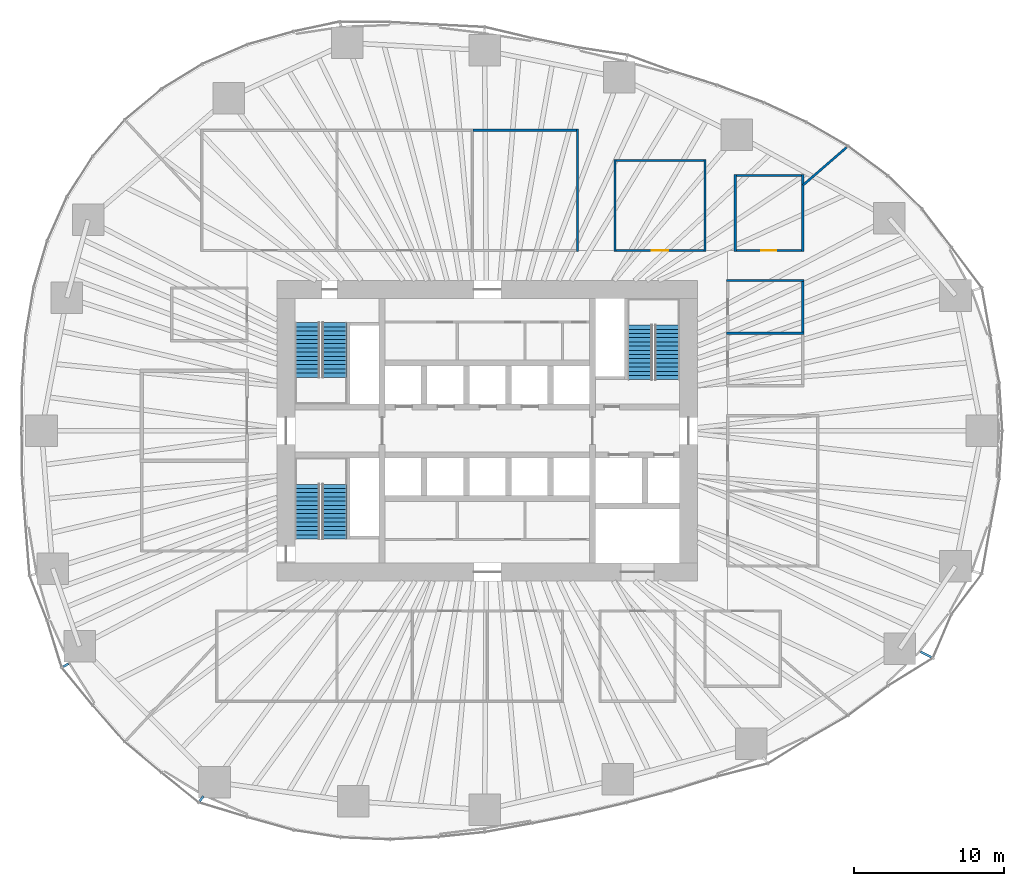
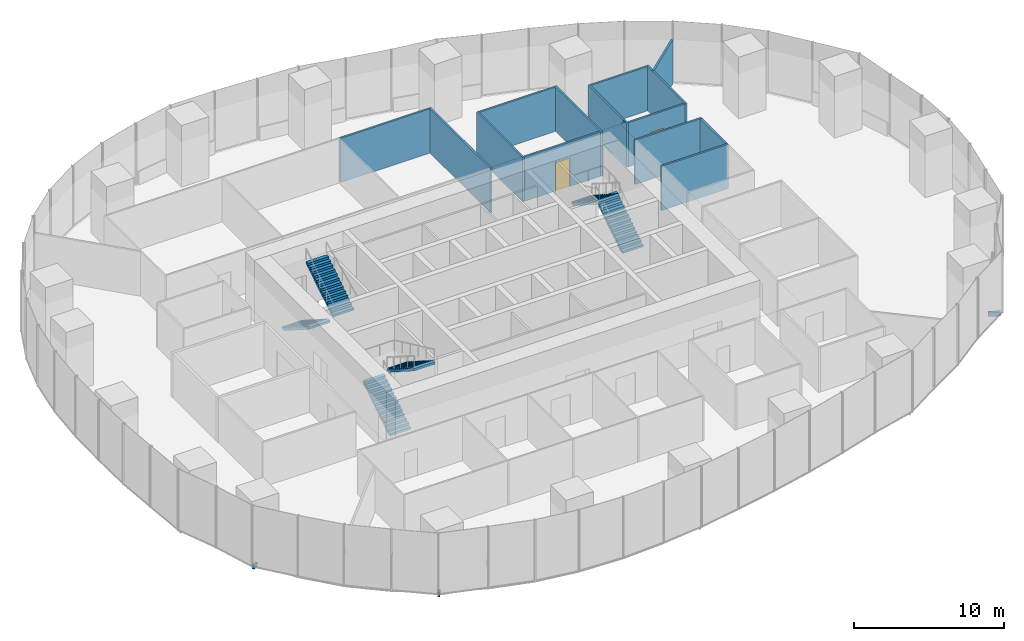
# One storey, part 12 of 20: 14 walls, 6 stair flights, 3 discrete accessories, 2 doors, 2 openings, 3 elements without a shape of their own.
"""IFC4 building model written with IfcOpenShell, lengths in metres."""

from ifc_helpers import new_model, si_unit, direction, frame, frame_2d, origin, origin_2d, place, context, subcontext, project, spatial, polyline, rectangle, outline, extrude, material, layer, layer_set, type_object, element, fill, aggregate, save


model = new_model("IFC4")

# Units and contexts
model_context = context("Model", 3, precision=1e-05, world=origin(), true_north=direction((0.0, 1.0)))
body_context = subcontext(model_context, "Body", "Model", "MODEL_VIEW")
ifc_project = project(units=[si_unit("LENGTHUNIT", "METRE"), si_unit("AREAUNIT", "SQUARE_METRE"), si_unit("VOLUMEUNIT", "CUBIC_METRE"), si_unit("PLANEANGLEUNIT", "RADIAN"), si_unit("MASSUNIT", "GRAM", prefix="KILO")], contexts=[model_context])

# Site, building, storey
site_placement = place(None, origin())
site = spatial("IfcSite", under=ifc_project, at=site_placement, CompositionType="ELEMENT")
building_placement = place(site_placement, origin())
building = spatial("IfcBuilding", under=site, at=building_placement, Name="Ghaith Harvest Tower", CompositionType="ELEMENT")
storey_placement = place(building_placement, frame((0.0, 0.0, 25.0)))
storey = spatial("IfcBuildingStorey", under=building, at=storey_placement, Name="L05", CompositionType="ELEMENT", Elevation=25.0)

# Walls
ifc_material_1 = material(Name="Gypsum board on steel studs", Category="steel")
ifc_layer = layer(ifc_material_1, 0.14990234375)
ifc_layer_set = layer_set([ifc_layer], Name="PARTITION 150")
wall_type = type_object("IfcWallType", Name="PARTITION 150", PredefinedType="PARTITIONING", material=ifc_layer_set)
wall_1_placement = place(storey_placement, frame((6.0, 11.925048828125, 0.0), z_axis=(0.0, 0.0, 1.0), x_axis=(0.0, 1.0, 0.0)))
element("IfcWall", 1, at=wall_1_placement, inside=storey, type_object=wall_type, Name="Partition L05 row N1 cross wall 4", PredefinedType="PARTITIONING", context=body_context, shape_type="SweptSolid", body=[
    extrude(rectangle(XDim=8.14990234375, YDim=0.14990234375, at=frame_2d((4.074951171875, 0.0))), origin(), (0.0, 0.0, 1.0), 3.60009765625),
])
wall_2_placement = place(storey_placement, frame((-0.93994140625, 20.0, 0.0), z_axis=(0.0, 0.0, 1.0), x_axis=(1.0, 0.0, 0.0)))
element("IfcWall", 2, at=wall_2_placement, inside=storey, type_object=wall_type, Name="Partition L05-03", PredefinedType="PARTITIONING", context=body_context, shape_type="SweptSolid", body=[
    extrude(rectangle(XDim=6.864990234375, YDim=0.14990234375, at=frame_2d((3.4326171875, 0.0))), origin(), (0.0, 0.0, 1.0), 3.60009765625),
])
for number, where, z_axis, x_axis, name in (
    (3, (8.5, 11.925048828125, 0.0), (0.0, 0.0, 1.0), (0.0, 1.0, 0.0), "Partition L05 row N2 cross wall 1"),
    (4, (14.5, 11.925048828125, 0.0), (0.0, 0.0, 1.0), (0.0, 1.0, 0.0), "Partition L05 row N2 cross wall 2"),
):
    element("IfcWall", number, at=place(storey_placement, frame(where, z_axis=z_axis, x_axis=x_axis)), inside=storey, type_object=wall_type, Name=name, PredefinedType="PARTITIONING", context=body_context, shape_type="SweptSolid", body=[
        extrude(rectangle(XDim=6.14990234375, YDim=0.14990234375, at=frame_2d((3.074951171875, 0.0))), origin(), (0.0, 0.0, 1.0), 3.60009765625),
    ])

# Wall, opening, door
wall_3_placement = place(storey_placement, frame((8.574951171875, 12.0, 0.0), z_axis=(0.0, 0.0, 1.0), x_axis=(1.0, 0.0, 0.0)))
wall_3 = element("IfcWall", 5, at=wall_3_placement, inside=storey, type_object=wall_type, Name="Partition L05-04", PredefinedType="PARTITIONING", context=body_context, shape_type="SweptSolid", body=[
    extrude(rectangle(XDim=5.85009765625, YDim=0.14990234375, at=frame_2d((2.925048828125, 0.0))), origin(), (0.0, 0.0, 1.0), 3.60009765625),
])
opening_1_placement = place(wall_3_placement, frame((2.375, 0.0, 0.0)))
opening_1 = element("IfcOpeningElement", 6, at=opening_1_placement, cuts=wall_3, Name="Opening 05-027", PredefinedType="OPENING", context=body_context, shape_type="SweptSolid", body=[
    extrude(rectangle(XDim=1.10009765625, YDim=2.300048828125, at=frame_2d((0.550048828125, 1.14990234375))), frame((0.0, 0.0849609375, 0.0), z_axis=(0.0, -1.0, 0.0), x_axis=(1.0, 0.0, 0.0)), (0.0, 0.0, 1.0), 0.169921875),
])
ifc_material_2 = material(Name="Timber-framed glazed door", Category="wood")
door_type_1 = type_object("IfcDoorType", Name="D12 GLAZED OFFICE 1100x2300", OperationType="SINGLE_SWING_LEFT", PredefinedType="DOOR", material=ifc_material_2)
door_1_placement = place(opening_1_placement, origin())
door_1 = element("IfcDoor", 7, at=door_1_placement, inside=storey, type_object=door_type_1, Name="Farm office door", OperationType="SINGLE_SWING_LEFT", OverallHeight=2.300048828125, OverallWidth=1.10009765625, PredefinedType="DOOR", context=body_context, shape_type="SweptSolid", body=[
    extrude(rectangle(XDim=1.10009765625, YDim=2.300048828125, at=frame_2d((0.550048828125, 1.14990234375))), frame((0.0, 0.02490234375, 0.0), z_axis=(0.0, -1.0, 0.0), x_axis=(1.0, 0.0, 0.0)), (0.0, 0.0, 1.0), 0.050048828125),
])
fill(opening_1, door_1)

# Walls
wall_4_placement = place(storey_placement, frame((8.574951171875, 18.0, 0.0), z_axis=(0.0, 0.0, 1.0), x_axis=(1.0, 0.0, 0.0)))
element("IfcWall", 8, at=wall_4_placement, inside=storey, type_object=wall_type, Name="Partition L05-04", PredefinedType="PARTITIONING", context=body_context, shape_type="SweptSolid", body=[
    extrude(rectangle(XDim=5.85009765625, YDim=0.14990234375, at=frame_2d((2.925048828125, 0.0))), origin(), (0.0, 0.0, 1.0), 3.60009765625),
])
for number, where, z_axis, x_axis, name in (
    (9, (16.5, 11.925048828125, 0.0), (0.0, 0.0, 1.0), (0.0, 1.0, 0.0), "Partition L05 row N7 cross wall 1"),
    (10, (21.0, 11.925048828125, 0.0), (0.0, 0.0, 1.0), (0.0, 1.0, 0.0), "Partition L05 row N7 cross wall 2"),
):
    element("IfcWall", number, at=place(storey_placement, frame(where, z_axis=z_axis, x_axis=x_axis)), inside=storey, type_object=wall_type, Name=name, PredefinedType="PARTITIONING", context=body_context, shape_type="SweptSolid", body=[
        extrude(rectangle(XDim=5.14990234375, YDim=0.14990234375, at=frame_2d((2.574951171875, 0.0))), origin(), (0.0, 0.0, 1.0), 3.60009765625),
    ])

# Wall, opening, door
wall_5_placement = place(storey_placement, frame((16.574951171875, 12.0, 0.0), z_axis=(0.0, 0.0, 1.0), x_axis=(1.0, 0.0, 0.0)))
wall_5 = element("IfcWall", 11, at=wall_5_placement, inside=storey, type_object=wall_type, Name="Partition L05-14", PredefinedType="PARTITIONING", context=body_context, shape_type="SweptSolid", body=[
    extrude(rectangle(XDim=4.35009765625, YDim=0.14990234375, at=frame_2d((2.175048828125, 0.0))), origin(), (0.0, 0.0, 1.0), 3.60009765625),
])
opening_2_placement = place(wall_5_placement, frame((1.675048828125, 0.0, 0.0)))
opening_2 = element("IfcOpeningElement", 12, at=opening_2_placement, cuts=wall_5, Name="Opening 05-037", PredefinedType="OPENING", context=body_context, shape_type="SweptSolid", body=[
    extrude(rectangle(XDim=1.0, YDim=2.199951171875, at=frame_2d((0.5, 1.10009765625))), frame((0.0, 0.0849609375, 0.0), z_axis=(0.0, -1.0, 0.0), x_axis=(1.0, 0.0, 0.0)), (0.0, 0.0, 1.0), 0.169921875),
])
ifc_material_3 = material(Name="Timber door", Category="wood")
door_type_2 = type_object("IfcDoorType", Name="D1 SINGLE 1000x2200", OperationType="SINGLE_SWING_LEFT", PredefinedType="DOOR", material=ifc_material_3)
door_2_placement = place(opening_2_placement, origin())
door_2 = element("IfcDoor", 13, at=door_2_placement, inside=storey, type_object=door_type_2, Name="Seedling inspection room door", OperationType="SINGLE_SWING_LEFT", OverallHeight=2.199951171875, OverallWidth=1.0, PredefinedType="DOOR", context=body_context, shape_type="SweptSolid", body=[
    extrude(rectangle(XDim=1.0, YDim=2.199951171875, at=frame_2d((0.5, 1.10009765625))), frame((0.0, 0.02490234375, 0.0), z_axis=(0.0, -1.0, 0.0), x_axis=(1.0, 0.0, 0.0)), (0.0, 0.0, 1.0), 0.050048828125),
])
fill(opening_2, door_2)

# Walls
wall_6_placement = place(storey_placement, frame((16.574951171875, 17.0, 0.0), z_axis=(0.0, 0.0, 1.0), x_axis=(1.0, 0.0, 0.0)))
element("IfcWall", 14, at=wall_6_placement, inside=storey, type_object=wall_type, Name="Partition L05-14", PredefinedType="PARTITIONING", context=body_context, shape_type="SweptSolid", body=[
    extrude(rectangle(XDim=4.35009765625, YDim=0.14990234375, at=frame_2d((2.175048828125, 0.0))), origin(), (0.0, 0.0, 1.0), 3.60009765625),
])
for number, where, z_axis, x_axis, name in (
    (15, (15.925048828125, 6.5, 0.0), (0.0, 0.0, 1.0), (1.0, 0.0, 0.0), "Partition L05 row E9 cross wall 2"),
    (16, (15.925048828125, 10.0, 0.0), (0.0, 0.0, 1.0), (1.0, 0.0, 0.0), "Partition L05 row E9 cross wall 3"),
):
    element("IfcWall", number, at=place(storey_placement, frame(where, z_axis=z_axis, x_axis=x_axis)), inside=storey, type_object=wall_type, Name=name, PredefinedType="PARTITIONING", context=body_context, shape_type="SweptSolid", body=[
        extrude(rectangle(XDim=5.14990234375, YDim=0.14990234375, at=frame_2d((2.574951171875, 0.0))), origin(), (0.0, 0.0, 1.0), 3.60009765625),
    ])
wall_7_placement = place(storey_placement, frame((21.0, 6.574951171875, 0.0), z_axis=(0.0, 0.0, 1.0), x_axis=(0.0, 1.0, 0.0)))
element("IfcWall", 17, at=wall_7_placement, inside=storey, type_object=wall_type, Name="Partition L05-17", PredefinedType="PARTITIONING", context=body_context, shape_type="SweptSolid", body=[
    extrude(rectangle(XDim=3.35009765625, YDim=0.14990234375, at=frame_2d((1.675048828125, 0.0))), origin(), (0.0, 0.0, 1.0), 3.60009765625),
])
wall_8_placement = place(storey_placement, frame((21.02001953125, 16.35400390625, 0.0), z_axis=(0.0, 0.0, 1.0), x_axis=(0.755425653008, 0.655234372402, 0.0)))
element("IfcWall", 18, at=wall_8_placement, inside=storey, type_object=wall_type, Name="Partition L05 zone division", PredefinedType="PARTITIONING", context=body_context, shape_type="SweptSolid", body=[
    extrude(rectangle(XDim=3.8232421875, YDim=0.14990234375, at=frame_2d((1.91162109375, 0.0))), origin(), (0.0, 0.0, 1.0), 3.60009765625),
])

# Stair, stair flights
ifc_material_4 = material(Name="Concrete C40/50, precast", Category="concrete")
stair_type = type_object("IfcStairType", Name="CORE STAIR 28R", PredefinedType="HALF_TURN_STAIR", material=ifc_material_4)
stair_1_placement = place(storey_placement, origin())
stair_1 = element("IfcStair", 19, at=stair_1_placement, inside=storey, type_object=stair_type, Name="Stair ST1 L05", PredefinedType="HALF_TURN_STAIR")
ifc_material_5 = material(Name="Concrete C40/50, precast", Category="concrete")
stair_flight_type = type_object("IfcStairFlightType", Name="CORE FLIGHT 14R 1600", PredefinedType="STRAIGHT", material=ifc_material_5)
stair_flight_1_placement = place(storey_placement, frame((-12.0, 7.199951171875, 0.0), z_axis=(0.0, 0.0, 1.0), x_axis=(0.0, -1.0, 0.0)))
stair_flight_1 = element("IfcStairFlight", 20, at=stair_flight_1_placement, type_object=stair_flight_type, Name="ST1 flight 1", NumberOfRisers=14, NumberOfTreads=13, PredefinedType="STRAIGHT", RiserHeight=0.178571429, TreadLength=0.28, context=body_context, shape_type="SweptSolid", body=[
    extrude(outline(polyline([(0.0, 0.0), (0.0, 0.178466796875), (0.280029296875, 0.178466796875), (0.280029296875, 0.357177734375), (0.56005859375, 0.357177734375), (0.56005859375, 0.53564453125), (0.840087890625, 0.53564453125), (0.840087890625, 0.71435546875), (1.1201171875, 0.71435546875), (1.1201171875, 0.892822265625), (1.39990234375, 0.892822265625), (1.39990234375, 1.071533203125), (1.679931640625, 1.071533203125), (1.679931640625, 1.25), (1.9599609375, 1.25), (1.9599609375, 1.428466796875), (2.239990234375, 1.428466796875), (2.239990234375, 1.607177734375), (2.52001953125, 1.607177734375), (2.52001953125, 1.78564453125), (2.800048828125, 1.78564453125), (2.800048828125, 1.96435546875), (3.080078125, 1.96435546875), (3.080078125, 2.142822265625), (3.360107421875, 2.142822265625), (3.360107421875, 2.321533203125), (3.639892578125, 2.321533203125), (3.639892578125, 2.5), (3.639892578125, 2.1435546875), (0.27880859375, 0.0), (0.0, 0.0)])), frame((0.0, 0.800048828125, 0.0), z_axis=(0.0, -1.0, 0.0), x_axis=(1.0, 0.0, 0.0)), (0.0, 0.0, 1.0), 1.60009765625),
])
stair_flight_2_placement = place(storey_placement, frame((-10.14990234375, 3.56005859375, 2.5), z_axis=(0.0, 0.0, 1.0), x_axis=(0.0, 1.0, 0.0)))
stair_flight_2 = element("IfcStairFlight", 21, at=stair_flight_2_placement, type_object=stair_flight_type, Name="ST1 flight 2", NumberOfRisers=14, NumberOfTreads=13, PredefinedType="STRAIGHT", RiserHeight=0.178571429, TreadLength=0.28, context=body_context, shape_type="SweptSolid", body=[
    extrude(outline(polyline([(0.0, 0.0), (0.0, 0.178466796875), (0.280029296875, 0.178466796875), (0.280029296875, 0.357177734375), (0.56005859375, 0.357177734375), (0.56005859375, 0.53564453125), (0.840087890625, 0.53564453125), (0.840087890625, 0.71435546875), (1.1201171875, 0.71435546875), (1.1201171875, 0.892822265625), (1.39990234375, 0.892822265625), (1.39990234375, 1.071533203125), (1.679931640625, 1.071533203125), (1.679931640625, 1.25), (1.9599609375, 1.25), (1.9599609375, 1.428466796875), (2.239990234375, 1.428466796875), (2.239990234375, 1.607177734375), (2.52001953125, 1.607177734375), (2.52001953125, 1.78564453125), (2.800048828125, 1.78564453125), (2.800048828125, 1.96435546875), (3.080078125, 1.96435546875), (3.080078125, 2.142822265625), (3.360107421875, 2.142822265625), (3.360107421875, 2.321533203125), (3.639892578125, 2.321533203125), (3.639892578125, 2.5), (3.639892578125, 2.1435546875), (0.27880859375, 0.0), (0.0, 0.0)])), frame((0.0, 0.800048828125, 0.0), z_axis=(0.0, -1.0, 0.0), x_axis=(1.0, 0.0, 0.0)), (0.0, 0.0, 1.0), 1.60009765625),
])
aggregate(stair_1, [stair_flight_1, stair_flight_2])

stair_2_placement = place(storey_placement, origin())
stair_2 = element("IfcStair", 22, at=stair_2_placement, inside=storey, type_object=stair_type, Name="Stair ST3 L05", PredefinedType="HALF_TURN_STAIR")
stair_flight_3_placement = place(storey_placement, frame((-12.0, -7.199951171875, 0.0), z_axis=(0.0, 0.0, 1.0), x_axis=(0.0, 1.0, 0.0)))
stair_flight_3 = element("IfcStairFlight", 23, at=stair_flight_3_placement, type_object=stair_flight_type, Name="ST3 flight 1", NumberOfRisers=14, NumberOfTreads=13, PredefinedType="STRAIGHT", RiserHeight=0.178571429, TreadLength=0.28, context=body_context, shape_type="SweptSolid", body=[
    extrude(outline(polyline([(0.0, 0.0), (0.0, 0.178466796875), (0.280029296875, 0.178466796875), (0.280029296875, 0.357177734375), (0.56005859375, 0.357177734375), (0.56005859375, 0.53564453125), (0.840087890625, 0.53564453125), (0.840087890625, 0.71435546875), (1.1201171875, 0.71435546875), (1.1201171875, 0.892822265625), (1.39990234375, 0.892822265625), (1.39990234375, 1.071533203125), (1.679931640625, 1.071533203125), (1.679931640625, 1.25), (1.9599609375, 1.25), (1.9599609375, 1.428466796875), (2.239990234375, 1.428466796875), (2.239990234375, 1.607177734375), (2.52001953125, 1.607177734375), (2.52001953125, 1.78564453125), (2.800048828125, 1.78564453125), (2.800048828125, 1.96435546875), (3.080078125, 1.96435546875), (3.080078125, 2.142822265625), (3.360107421875, 2.142822265625), (3.360107421875, 2.321533203125), (3.639892578125, 2.321533203125), (3.639892578125, 2.5), (3.639892578125, 2.1435546875), (0.27880859375, 0.0), (0.0, 0.0)])), frame((0.0, 0.800048828125, 0.0), z_axis=(0.0, -1.0, 0.0), x_axis=(1.0, 0.0, 0.0)), (0.0, 0.0, 1.0), 1.60009765625),
])
stair_flight_4_placement = place(storey_placement, frame((-10.14990234375, -3.56005859375, 2.5), z_axis=(0.0, 0.0, 1.0), x_axis=(0.0, -1.0, 0.0)))
stair_flight_4 = element("IfcStairFlight", 24, at=stair_flight_4_placement, type_object=stair_flight_type, Name="ST3 flight 2", NumberOfRisers=14, NumberOfTreads=13, PredefinedType="STRAIGHT", RiserHeight=0.178571429, TreadLength=0.28, context=body_context, shape_type="SweptSolid", body=[
    extrude(outline(polyline([(0.0, 0.0), (0.0, 0.178466796875), (0.280029296875, 0.178466796875), (0.280029296875, 0.357177734375), (0.56005859375, 0.357177734375), (0.56005859375, 0.53564453125), (0.840087890625, 0.53564453125), (0.840087890625, 0.71435546875), (1.1201171875, 0.71435546875), (1.1201171875, 0.892822265625), (1.39990234375, 0.892822265625), (1.39990234375, 1.071533203125), (1.679931640625, 1.071533203125), (1.679931640625, 1.25), (1.9599609375, 1.25), (1.9599609375, 1.428466796875), (2.239990234375, 1.428466796875), (2.239990234375, 1.607177734375), (2.52001953125, 1.607177734375), (2.52001953125, 1.78564453125), (2.800048828125, 1.78564453125), (2.800048828125, 1.96435546875), (3.080078125, 1.96435546875), (3.080078125, 2.142822265625), (3.360107421875, 2.142822265625), (3.360107421875, 2.321533203125), (3.639892578125, 2.321533203125), (3.639892578125, 2.5), (3.639892578125, 2.1435546875), (0.27880859375, 0.0), (0.0, 0.0)])), frame((0.0, 0.800048828125, 0.0), z_axis=(0.0, -1.0, 0.0), x_axis=(1.0, 0.0, 0.0)), (0.0, 0.0, 1.0), 1.60009765625),
])
aggregate(stair_2, [stair_flight_3, stair_flight_4])

stair_3_placement = place(storey_placement, origin())
stair_3 = element("IfcStair", 25, at=stair_3_placement, inside=storey, type_object=stair_type, Name="Stair ST2 L05", PredefinedType="HALF_TURN_STAIR")
stair_flight_5_placement = place(storey_placement, frame((12.0, 3.39990234375, 0.0), z_axis=(0.0, 0.0, 1.0), x_axis=(0.0, 1.0, 0.0)))
stair_flight_5 = element("IfcStairFlight", 26, at=stair_flight_5_placement, type_object=stair_flight_type, Name="ST2 flight 1", NumberOfRisers=14, NumberOfTreads=13, PredefinedType="STRAIGHT", RiserHeight=0.178571429, TreadLength=0.28, context=body_context, shape_type="SweptSolid", body=[
    extrude(outline(polyline([(0.0, 0.0), (0.0, 0.178466796875), (0.280029296875, 0.178466796875), (0.280029296875, 0.357177734375), (0.56005859375, 0.357177734375), (0.56005859375, 0.53564453125), (0.840087890625, 0.53564453125), (0.840087890625, 0.71435546875), (1.1201171875, 0.71435546875), (1.1201171875, 0.892822265625), (1.39990234375, 0.892822265625), (1.39990234375, 1.071533203125), (1.679931640625, 1.071533203125), (1.679931640625, 1.25), (1.9599609375, 1.25), (1.9599609375, 1.428466796875), (2.239990234375, 1.428466796875), (2.239990234375, 1.607177734375), (2.52001953125, 1.607177734375), (2.52001953125, 1.78564453125), (2.800048828125, 1.78564453125), (2.800048828125, 1.96435546875), (3.080078125, 1.96435546875), (3.080078125, 2.142822265625), (3.360107421875, 2.142822265625), (3.360107421875, 2.321533203125), (3.639892578125, 2.321533203125), (3.639892578125, 2.5), (3.639892578125, 2.1435546875), (0.27880859375, 0.0), (0.0, 0.0)])), frame((0.0, 0.800048828125, 0.0), z_axis=(0.0, -1.0, 0.0), x_axis=(1.0, 0.0, 0.0)), (0.0, 0.0, 1.0), 1.60009765625),
])
stair_flight_6_placement = place(storey_placement, frame((10.14990234375, 7.0400390625, 2.5), z_axis=(0.0, 0.0, 1.0), x_axis=(0.0, -1.0, 0.0)))
stair_flight_6 = element("IfcStairFlight", 27, at=stair_flight_6_placement, type_object=stair_flight_type, Name="ST2 flight 2", NumberOfRisers=14, NumberOfTreads=13, PredefinedType="STRAIGHT", RiserHeight=0.178571429, TreadLength=0.28, context=body_context, shape_type="SweptSolid", body=[
    extrude(outline(polyline([(0.0, 0.0), (0.0, 0.178466796875), (0.280029296875, 0.178466796875), (0.280029296875, 0.357177734375), (0.56005859375, 0.357177734375), (0.56005859375, 0.53564453125), (0.840087890625, 0.53564453125), (0.840087890625, 0.71435546875), (1.1201171875, 0.71435546875), (1.1201171875, 0.892822265625), (1.39990234375, 0.892822265625), (1.39990234375, 1.071533203125), (1.679931640625, 1.071533203125), (1.679931640625, 1.25), (1.9599609375, 1.25), (1.9599609375, 1.428466796875), (2.239990234375, 1.428466796875), (2.239990234375, 1.607177734375), (2.52001953125, 1.607177734375), (2.52001953125, 1.78564453125), (2.800048828125, 1.78564453125), (2.800048828125, 1.96435546875), (3.080078125, 1.96435546875), (3.080078125, 2.142822265625), (3.360107421875, 2.142822265625), (3.360107421875, 2.321533203125), (3.639892578125, 2.321533203125), (3.639892578125, 2.5), (3.639892578125, 2.1435546875), (0.27880859375, 0.0), (0.0, 0.0)])), frame((0.0, 0.800048828125, 0.0), z_axis=(0.0, -1.0, 0.0), x_axis=(1.0, 0.0, 0.0)), (0.0, 0.0, 1.0), 1.60009765625),
])
aggregate(stair_3, [stair_flight_5, stair_flight_6])

# Discrete accessories
ifc_material_6 = material(Name="Stainless steel grade 1.4401", Category="steel")
discrete_accessory_type_1 = type_object("IfcDiscreteAccessoryType", Name="CURTAIN WALL BRACKET 415", PredefinedType="BRACKET", material=ifc_material_6)
discrete_accessory_1_placement = place(storey_placement, frame((-28.05859375, -15.60546875, -0.25), z_axis=(0.0, 0.0, 1.0), x_axis=(-0.873926916099, -0.486057347767, 0.0)))
element("IfcDiscreteAccessory", 28, at=discrete_accessory_1_placement, inside=storey, type_object=discrete_accessory_type_1, Name="CW-F bracket 3 bay 12 L05", PredefinedType="BRACKET", context=body_context, shape_type="SweptSolid", body=[
    extrude(rectangle(XDim=0.4150390625, YDim=0.14990234375, at=origin_2d()), origin(), (0.0, 0.0, 1.0), 0.35009765625),
])
ifc_material_7 = material(Name="Stainless steel grade 1.4401", Category="steel")
discrete_accessory_type_2 = type_object("IfcDiscreteAccessoryType", Name="CURTAIN WALL BRACKET 425", PredefinedType="BRACKET", material=ifc_material_7)
discrete_accessory_2_placement = place(storey_placement, frame((-19.02099609375, -24.491455078125, -0.25), z_axis=(0.0, 0.0, 1.0), x_axis=(-0.613377713774, -0.789789706343, 0.0)))
element("IfcDiscreteAccessory", 29, at=discrete_accessory_2_placement, inside=storey, type_object=discrete_accessory_type_2, Name="CW-F bracket 1 bay 14 L05", PredefinedType="BRACKET", context=body_context, shape_type="SweptSolid", body=[
    extrude(rectangle(XDim=0.425048828125, YDim=0.14990234375, at=origin_2d()), origin(), (0.0, 0.0, 1.0), 0.35009765625),
])
ifc_material_8 = material(Name="Stainless steel grade 1.4401", Category="steel")
discrete_accessory_type_3 = type_object("IfcDiscreteAccessoryType", Name="CURTAIN WALL BRACKET 825", PredefinedType="BRACKET", material=ifc_material_8)
discrete_accessory_3_placement = place(storey_placement, frame((29.203125, -14.89404296875, -0.25), z_axis=(0.0, 0.0, 1.0), x_axis=(0.890830752177, -0.454335306767, 0.0)))
element("IfcDiscreteAccessory", 30, at=discrete_accessory_3_placement, inside=storey, type_object=discrete_accessory_type_3, Name="CW-F bracket 2 bay 19 L05", PredefinedType="BRACKET", context=body_context, shape_type="SweptSolid", body=[
    extrude(rectangle(XDim=0.824951171875, YDim=0.14990234375, at=origin_2d()), origin(), (0.0, 0.0, 1.0), 0.35009765625),
])

save(model, "model.ifc")
